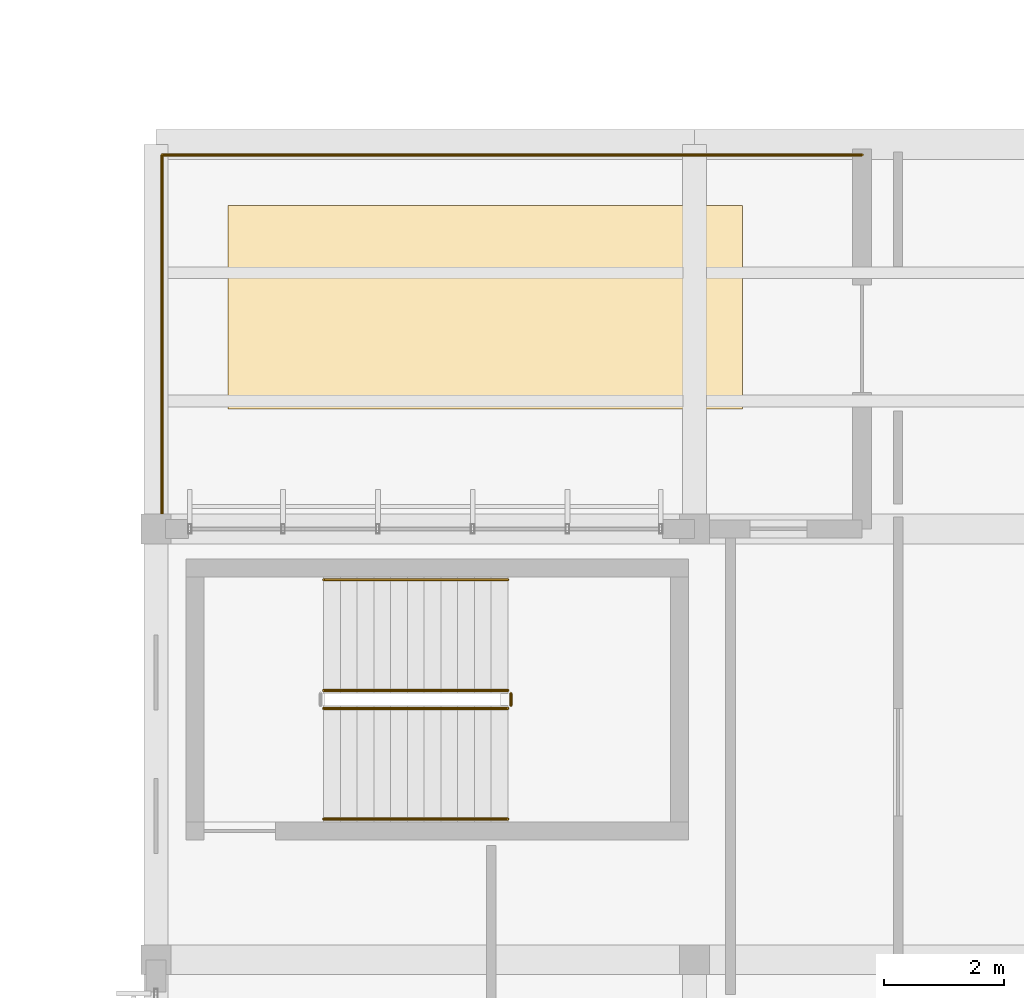
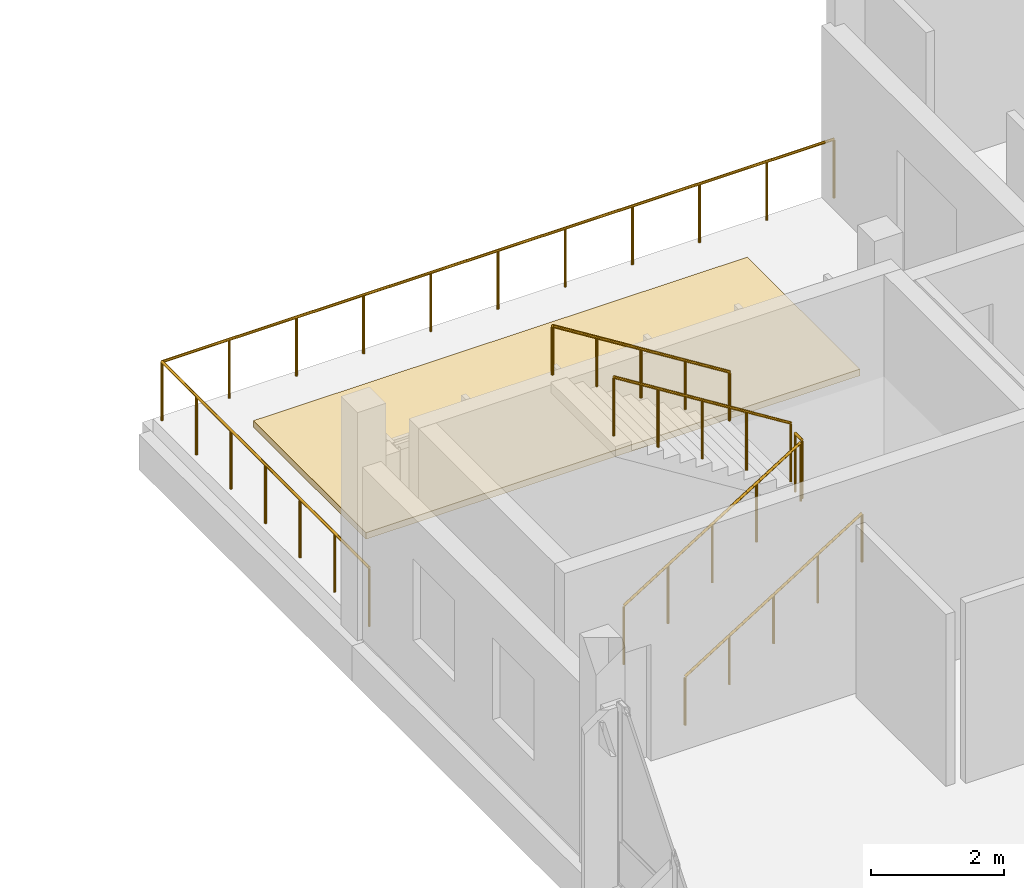
# One storey, part 24 of 24: 7 railings, 1 covering.
"""IFC4 building model written with IfcOpenShell, lengths in metres."""

from ifc_helpers import new_model, si_unit, direction, frame, origin, origin_2d, place, context, subcontext, project, spatial, polyline, circle, outline, extrude, material, layer, layer_set, type_object, element, save


model = new_model("IFC4")

# Units and contexts
model_context = context("Model", 3, precision=1e-05, world=origin(), true_north=direction((0.0, 1.0)))
body_context = subcontext(model_context, "Body", "Model", "MODEL_VIEW")
ifc_project = project(units=[si_unit("LENGTHUNIT", "METRE"), si_unit("AREAUNIT", "SQUARE_METRE"), si_unit("VOLUMEUNIT", "CUBIC_METRE"), si_unit("PLANEANGLEUNIT", "RADIAN"), si_unit("MASSUNIT", "GRAM", prefix="KILO")], contexts=[model_context])

# Site, building, storey
site_placement = place(None, origin())
site = spatial("IfcSite", under=ifc_project, at=site_placement, CompositionType="ELEMENT")
building_placement = place(site_placement, origin())
building = spatial("IfcBuilding", under=site, at=building_placement, Name="Chiffa Square Polytechnic", CompositionType="ELEMENT")
storey_placement = place(building_placement, frame((0.0, 0.0, 22.199951171875)))
storey = spatial("IfcBuildingStorey", under=building, at=storey_placement, Name="L05", CompositionType="ELEMENT", Elevation=22.199951171875)

# Covering
ifc_material_1 = material(Name="Vegetated substrate")
ifc_layer_1 = layer(ifc_material_1, 0.1201171875, Name="Vegetated substrate")
ifc_layer_set_1 = layer_set([ifc_layer_1], Name="Vegetated substrate")
covering_type = type_object("IfcCoveringType", Name="COV-GARDEN-300", PredefinedType="ROOFING", material=ifc_layer_set_1)
covering_placement = place(storey_placement, origin())
element("IfcCovering", 1, at=covering_placement, inside=storey, type_object=covering_type, Name="Planted Mediterranean roof garden GD-V1-L05", PredefinedType="ROOFING", context=body_context, shape_type="SweptSolid", body=[
    extrude(outline(polyline([(149.39990234375, 53.0), (158.0, 53.0), (158.0, 56.39990234375), (149.39990234375, 56.39990234375), (149.39990234375, 53.0)])), origin(), (0.0, 0.0, 1.0), 0.1201171875),
])

# Railings
ifc_material_2 = material(Name="Steel S355", Category="steel")
ifc_layer_2 = layer(ifc_material_2, 0.050048828125, Name="Steel S355")
ifc_layer_set_2 = layer_set([ifc_layer_2], Name="Steel S355")
railing_type_1 = type_object("IfcRailingType", Name="RL-STAIR-GUARD", PredefinedType="GUARDRAIL", material=ifc_layer_set_2)
railing_1_placement = place(storey_placement, frame((151.0, 48.0, 0.175048828125)))
element("IfcRailing", 2, at=railing_1_placement, inside=storey, type_object=railing_type_1, Name="L05 ST-V1B stair guard 1", PredefinedType="GUARDRAIL", context=body_context, shape_type="SweptSolid", body=[
    extrude(circle(Radius=0.02392578125, at=origin_2d()), frame((0.0, 0.0, 1.076171875), z_axis=(0.847998304005, 0.0, 0.529998940003), x_axis=(0.0, 1.0, 0.0)), (0.0, 0.0, 1.0), 3.632080078125),
    extrude(circle(Radius=0.02099609375, at=origin_2d()), origin(), (0.0, 0.0, 1.0), 1.052001953125),
    extrude(circle(Radius=0.02099609375, at=origin_2d()), frame((0.77001953125, 0.0, 0.481201171875)), (0.0, 0.0, 1.0), 1.052001953125),
    extrude(circle(Radius=0.02099609375, at=origin_2d()), frame((1.5400390625, 0.0, 0.96240234375)), (0.0, 0.0, 1.0), 1.052001953125),
    extrude(circle(Radius=0.02099609375, at=origin_2d()), frame((2.31005859375, 0.0, 1.44384765625)), (0.0, 0.0, 1.0), 1.052001953125),
    extrude(circle(Radius=0.02099609375, at=origin_2d()), frame((3.080078125, 0.0, 1.925048828125)), (0.0, 0.0, 1.0), 1.052001953125),
])
railing_2_placement = place(storey_placement, frame((154.1298828125, 48.050048828125, 2.10009765625)))
element("IfcRailing", 3, at=railing_2_placement, inside=storey, type_object=railing_type_1, Name="L05 ST-V1B stair guard 2", PredefinedType="GUARDRAIL", context=body_context, shape_type="SweptSolid", body=[
    extrude(circle(Radius=0.02392578125, at=origin_2d()), frame((0.0, 0.0, 1.076171875), z_axis=(0.0, 1.0, 0.0), x_axis=(-1.0, 0.0, 0.0)), (0.0, 0.0, 1.0), 0.199951171875),
    extrude(circle(Radius=0.02099609375, at=origin_2d()), origin(), (0.0, 0.0, 1.0), 1.052001953125),
    extrude(circle(Radius=0.02099609375, at=origin_2d()), frame((0.0, 0.199951171875, 0.0)), (0.0, 0.0, 1.0), 1.052001953125),
])
railing_3_placement = place(storey_placement, frame((154.080078125, 48.300048828125, 2.275146484375)))
element("IfcRailing", 4, at=railing_3_placement, inside=storey, type_object=railing_type_1, Name="L05 ST-V1B stair guard 3", PredefinedType="GUARDRAIL", context=body_context, shape_type="SweptSolid", body=[
    extrude(circle(Radius=0.02392578125, at=origin_2d()), frame((0.0, 0.0, 1.076171875), z_axis=(-0.848028513186, 0.0, 0.529950602248), x_axis=(0.0, -1.0, 0.0)), (0.0, 0.0, 1.0), 3.632080078125),
    extrude(circle(Radius=0.02099609375, at=origin_2d()), origin(), (0.0, 0.0, 1.0), 1.052001953125),
    extrude(circle(Radius=0.02099609375, at=origin_2d()), frame((-0.77001953125, 0.0, 0.481201171875)), (0.0, 0.0, 1.0), 1.052001953125),
    extrude(circle(Radius=0.02099609375, at=origin_2d()), frame((-1.5400390625, 0.0, 0.96240234375)), (0.0, 0.0, 1.0), 1.052001953125),
    extrude(circle(Radius=0.02099609375, at=origin_2d()), frame((-2.31005859375, 0.0, 1.443603515625)), (0.0, 0.0, 1.0), 1.052001953125),
    extrude(circle(Radius=0.02099609375, at=origin_2d()), frame((-3.080078125, 0.0, 1.9248046875)), (0.0, 0.0, 1.0), 1.052001953125),
])
ifc_layer_3 = layer(ifc_material_2, 0.044921875, Name="Steel S355")
ifc_layer_set_3 = layer_set([ifc_layer_3], Name="Steel S355")
railing_type_2 = type_object("IfcRailingType", Name="RL-STAIR-HAND", PredefinedType="HANDRAIL", material=ifc_layer_set_3)
railing_4_placement = place(storey_placement, frame((151.0, 46.14990234375, 0.175048828125)))
element("IfcRailing", 5, at=railing_4_placement, inside=storey, type_object=railing_type_2, Name="L05 ST-V1B stair handrail 1", PredefinedType="HANDRAIL", context=body_context, shape_type="SweptSolid", body=[
    extrude(circle(Radius=0.02392578125, at=origin_2d()), frame((0.0, 0.0, 0.89599609375), z_axis=(0.847998304005, 0.0, 0.529998940003), x_axis=(0.0, 1.0, 0.0)), (0.0, 0.0, 1.0), 3.632080078125),
    extrude(circle(Radius=0.02099609375, at=origin_2d()), origin(), (0.0, 0.0, 1.0), 0.871826171875),
    extrude(circle(Radius=0.02099609375, at=origin_2d()), frame((0.77001953125, 0.0, 0.481201171875)), (0.0, 0.0, 1.0), 0.871826171875),
    extrude(circle(Radius=0.02099609375, at=origin_2d()), frame((1.5400390625, 0.0, 0.96240234375)), (0.0, 0.0, 1.0), 0.871826171875),
    extrude(circle(Radius=0.02099609375, at=origin_2d()), frame((2.31005859375, 0.0, 1.44384765625)), (0.0, 0.0, 1.0), 0.871826171875),
    extrude(circle(Radius=0.02099609375, at=origin_2d()), frame((3.080078125, 0.0, 1.925048828125)), (0.0, 0.0, 1.0), 0.871826171875),
])
railing_5_placement = place(storey_placement, frame((154.080078125, 50.14990234375, 2.275146484375)))
element("IfcRailing", 6, at=railing_5_placement, inside=storey, type_object=railing_type_2, Name="L05 ST-V1B stair handrail 2", PredefinedType="HANDRAIL", context=body_context, shape_type="SweptSolid", body=[
    extrude(circle(Radius=0.02392578125, at=origin_2d()), frame((0.0, 0.0, 0.89599609375), z_axis=(-0.848028513186, 0.0, 0.529950602248), x_axis=(0.0, -1.0, 0.0)), (0.0, 0.0, 1.0), 3.632080078125),
    extrude(circle(Radius=0.02099609375, at=origin_2d()), origin(), (0.0, 0.0, 1.0), 0.871826171875),
    extrude(circle(Radius=0.02099609375, at=origin_2d()), frame((-0.77001953125, 0.0, 0.481201171875)), (0.0, 0.0, 1.0), 0.871826171875),
    extrude(circle(Radius=0.02099609375, at=origin_2d()), frame((-1.5400390625, 0.0, 0.96240234375)), (0.0, 0.0, 1.0), 0.871826171875),
    extrude(circle(Radius=0.02099609375, at=origin_2d()), frame((-2.31005859375, 0.0, 1.443603515625)), (0.0, 0.0, 1.0), 0.871826171875),
    extrude(circle(Radius=0.02099609375, at=origin_2d()), frame((-3.080078125, 0.0, 1.9248046875)), (0.0, 0.0, 1.0), 0.871826171875),
])
ifc_layer_4 = layer(ifc_material_2, 0.06005859375, Name="Steel S355")
ifc_layer_set_4 = layer_set([ifc_layer_4], Name="Steel S355")
railing_type_3 = type_object("IfcRailingType", Name="RL-TERR-1100", PredefinedType="BALUSTRADE", material=ifc_layer_set_4)
railing_6_placement = place(storey_placement, frame((148.300048828125, 51.0, 0.0)))
element("IfcRailing", 7, at=railing_6_placement, inside=storey, type_object=railing_type_3, Name="Terrace safety guard GR-TERR-V1-L05-1", PredefinedType="BALUSTRADE", context=body_context, shape_type="SweptSolid", body=[
    extrude(circle(Radius=0.02392578125, at=origin_2d()), frame((0.0, 0.0, 1.076171875), z_axis=(0.0, 1.0, 0.0), x_axis=(-1.0, 0.0, 0.0)), (0.0, 0.0, 1.0), 6.25),
    extrude(circle(Radius=0.02099609375, at=origin_2d()), origin(), (0.0, 0.0, 1.0), 1.052001953125),
    extrude(circle(Radius=0.02099609375, at=origin_2d()), frame((0.0, 1.041748046875, 0.0)), (0.0, 0.0, 1.0), 1.052001953125),
    extrude(circle(Radius=0.02099609375, at=origin_2d()), frame((0.0, 2.083251953125, 0.0)), (0.0, 0.0, 1.0), 1.052001953125),
    extrude(circle(Radius=0.02099609375, at=origin_2d()), frame((0.0, 3.125, 0.0)), (0.0, 0.0, 1.0), 1.052001953125),
    extrude(circle(Radius=0.02099609375, at=origin_2d()), frame((0.0, 4.166748046875, 0.0)), (0.0, 0.0, 1.0), 1.052001953125),
    extrude(circle(Radius=0.02099609375, at=origin_2d()), frame((0.0, 5.208251953125, 0.0)), (0.0, 0.0, 1.0), 1.052001953125),
    extrude(circle(Radius=0.02099609375, at=origin_2d()), frame((0.0, 6.25, 0.0)), (0.0, 0.0, 1.0), 1.052001953125),
])
railing_7_placement = place(storey_placement, frame((148.300048828125, 57.25, 0.0)))
element("IfcRailing", 8, at=railing_7_placement, inside=storey, type_object=railing_type_3, Name="Terrace safety guard GR-TERR-V1-L05-2", PredefinedType="BALUSTRADE", context=body_context, shape_type="SweptSolid", body=[
    extrude(circle(Radius=0.02392578125, at=origin_2d()), frame((0.0, 0.0, 1.076171875), z_axis=(1.0, 0.0, 0.0), x_axis=(0.0, 1.0, 0.0)), (0.0, 0.0, 1.0), 11.699951171875),
    extrude(circle(Radius=0.02099609375, at=origin_2d()), origin(), (0.0, 0.0, 1.0), 1.052001953125),
    extrude(circle(Radius=0.02099609375, at=origin_2d()), frame((1.169921875, 0.0, 0.0)), (0.0, 0.0, 1.0), 1.052001953125),
    extrude(circle(Radius=0.02099609375, at=origin_2d()), frame((2.340087890625, 0.0, 0.0)), (0.0, 0.0, 1.0), 1.052001953125),
    extrude(circle(Radius=0.02099609375, at=origin_2d()), frame((3.510009765625, 0.0, 0.0)), (0.0, 0.0, 1.0), 1.052001953125),
    extrude(circle(Radius=0.02099609375, at=origin_2d()), frame((4.679931640625, 0.0, 0.0)), (0.0, 0.0, 1.0), 1.052001953125),
    extrude(circle(Radius=0.02099609375, at=origin_2d()), frame((5.85009765625, 0.0, 0.0)), (0.0, 0.0, 1.0), 1.052001953125),
    extrude(circle(Radius=0.02099609375, at=origin_2d()), frame((7.02001953125, 0.0, 0.0)), (0.0, 0.0, 1.0), 1.052001953125),
    extrude(circle(Radius=0.02099609375, at=origin_2d()), frame((8.18994140625, 0.0, 0.0)), (0.0, 0.0, 1.0), 1.052001953125),
    extrude(circle(Radius=0.02099609375, at=origin_2d()), frame((9.35986328125, 0.0, 0.0)), (0.0, 0.0, 1.0), 1.052001953125),
    extrude(circle(Radius=0.02099609375, at=origin_2d()), frame((10.530029296875, 0.0, 0.0)), (0.0, 0.0, 1.0), 1.052001953125),
    extrude(circle(Radius=0.02099609375, at=origin_2d()), frame((11.699951171875, 0.0, 0.0)), (0.0, 0.0, 1.0), 1.052001953125),
])

save(model, "model.ifc")
